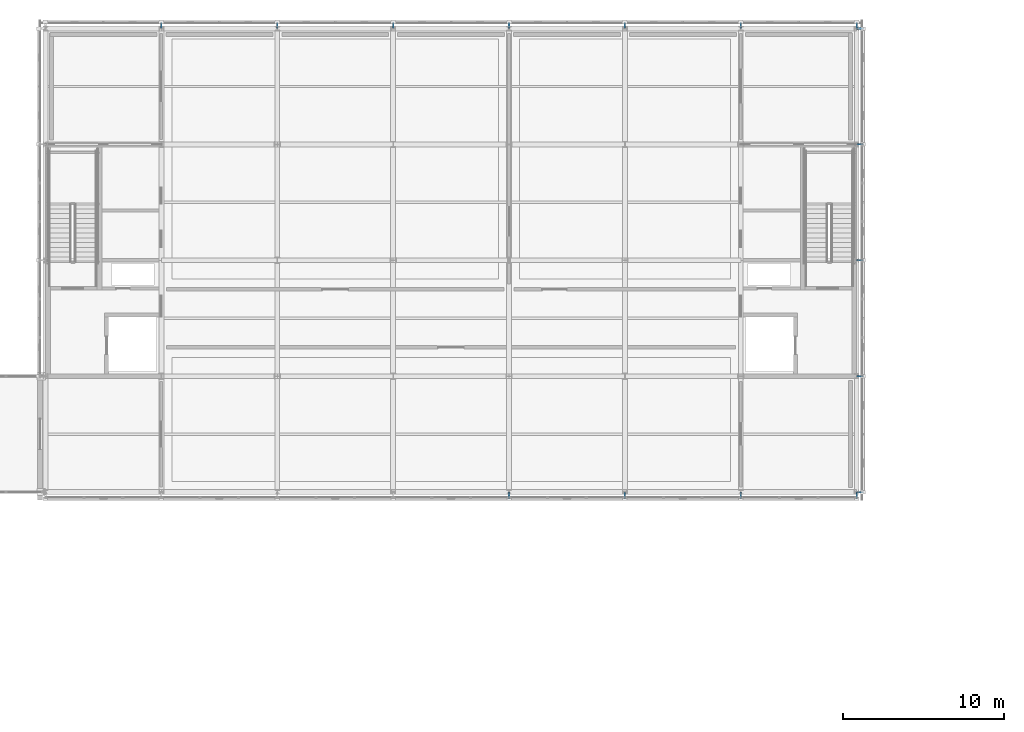
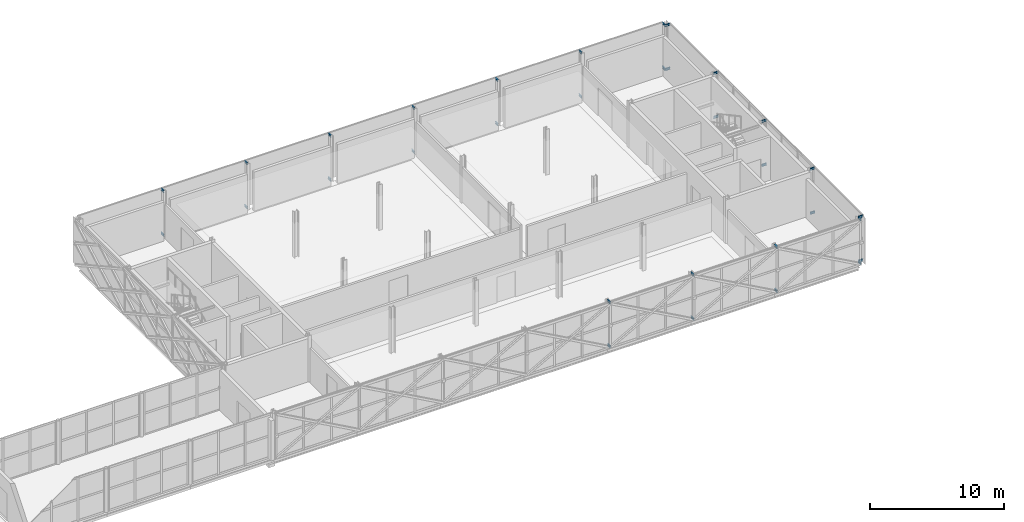
# One storey, part 64 of 103: 32 beams.
"""IFC4 building model written with IfcOpenShell, lengths in metres."""

from ifc_helpers import new_model, si_unit, direction, frame, origin, origin_2d, place, context, subcontext, project, spatial, i_section, extrude, material, material_profile, profile_set, type_object, element, save


model = new_model("IFC4")

# Units and contexts
model_context = context("Model", 3, precision=1e-05, world=origin(), true_north=direction((0.0, 1.0)))
body_context = subcontext(model_context, "Body", "Model", "MODEL_VIEW")
ifc_project = project(units=[si_unit("LENGTHUNIT", "METRE"), si_unit("AREAUNIT", "SQUARE_METRE"), si_unit("VOLUMEUNIT", "CUBIC_METRE"), si_unit("PLANEANGLEUNIT", "RADIAN"), si_unit("MASSUNIT", "GRAM", prefix="KILO")], contexts=[model_context])

# Site, building, storey
site_placement = place(None, origin())
site = spatial("IfcSite", under=ifc_project, at=site_placement, CompositionType="ELEMENT")
building_placement = place(site_placement, origin())
building = spatial("IfcBuilding", under=site, at=building_placement, Name="Zlatovets Crest Museum", CompositionType="ELEMENT")
storey_placement = place(building_placement, frame((0.0, 0.0, 12.89990234375)))
storey = spatial("IfcBuildingStorey", under=building, at=storey_placement, Name="L03", CompositionType="ELEMENT", Elevation=12.89990234375)

# Beams
ifc_material = material(Name="Structural steel S355J2", Category="steel")
ifc_material_profile = material_profile(ifc_material, i_section(OverallWidth=0.10009765625, OverallDepth=0.199951171875, WebThickness=0.005615234375, FlangeThickness=0.008544921875, FilletRadius=0.011962890625, at=origin_2d()), Name="IPE 200")
ifc_profile_set = profile_set([ifc_material_profile], Name="Structural steel S355J2")
beam_type = type_object("IfcBeamType", Name="Beam_PR-02", PredefinedType="LINTEL", material=ifc_profile_set)
for number, where, z_axis, x_axis, name in (
    (1, (86.39990234375, 86.39990234375, 0.10009765625), (0.0, -1.0, 0.0), (1.0, 0.0, 0.0), "Lattice Structural Outrigger Tie"),
    (2, (86.39990234375, 86.39990234375, 4.10009765625), (0.0, -1.0, 0.0), (1.0, 0.0, 0.0), "Lattice Structural Outrigger Tie"),
    (3, (93.60009765625, 86.39990234375, 0.10009765625), (0.0, -1.0, 0.0), (1.0, 0.0, 0.0), "Lattice Structural Outrigger Tie"),
    (4, (93.60009765625, 86.39990234375, 4.10009765625), (0.0, -1.0, 0.0), (1.0, 0.0, 0.0), "Lattice Structural Outrigger Tie"),
    (5, (100.800048828125, 86.39990234375, 0.10009765625), (0.0, -1.0, 0.0), (1.0, 0.0, 0.0), "Lattice Structural Outrigger Tie"),
    (6, (100.800048828125, 86.39990234375, 4.10009765625), (0.0, -1.0, 0.0), (1.0, 0.0, 0.0), "Lattice Structural Outrigger Tie"),
    (7, (108.0, 86.39990234375, 0.10009765625), (0.0, -1.0, 0.0), (1.0, 0.0, 0.0), "Lattice Structural Outrigger Tie"),
    (8, (108.0, 86.39990234375, 4.10009765625), (0.0, -1.0, 0.0), (1.0, 0.0, 0.0), "Lattice Structural Outrigger Tie"),
    (9, (108.0, 86.39990234375, 0.10009765625), (1.0, 0.0, 0.0), (0.0, 1.0, 0.0), "Lattice Structural Outrigger Tie"),
    (10, (108.0, 86.39990234375, 4.10009765625), (1.0, 0.0, 0.0), (0.0, 1.0, 0.0), "Lattice Structural Outrigger Tie"),
    (11, (108.0, 93.60009765625, 0.10009765625), (1.0, 0.0, 0.0), (0.0, 1.0, 0.0), "Lattice Structural Outrigger Tie"),
    (12, (108.0, 93.60009765625, 4.10009765625), (1.0, 0.0, 0.0), (0.0, 1.0, 0.0), "Lattice Structural Outrigger Tie"),
    (13, (108.0, 100.800048828125, 0.10009765625), (1.0, 0.0, 0.0), (0.0, 1.0, 0.0), "Lattice Structural Outrigger Tie"),
    (14, (108.0, 100.800048828125, 4.10009765625), (1.0, 0.0, 0.0), (0.0, 1.0, 0.0), "Lattice Structural Outrigger Tie"),
    (15, (108.0, 108.0, 0.10009765625), (1.0, 0.0, 0.0), (0.0, 1.0, 0.0), "Lattice Structural Outrigger Tie"),
    (16, (108.0, 108.0, 4.10009765625), (1.0, 0.0, 0.0), (0.0, 1.0, 0.0), "Lattice Structural Outrigger Tie"),
    (17, (108.0, 115.199951171875, 0.10009765625), (1.0, 0.0, 0.0), (0.0, 1.0, 0.0), "Lattice Structural Outrigger Tie"),
    (18, (108.0, 115.199951171875, 4.10009765625), (1.0, 0.0, 0.0), (0.0, 1.0, 0.0), "Lattice Structural Outrigger Tie"),
):
    element("IfcBeam", number, at=place(storey_placement, frame(where, z_axis=z_axis, x_axis=x_axis)), inside=storey, type_object=beam_type, Name=name, PredefinedType="LINTEL", context=body_context, shape_type="SweptSolid", body=[
        extrude(i_section(OverallWidth=0.10009765625, OverallDepth=0.199951171875, WebThickness=0.005615234375, FlangeThickness=0.008544921875, FilletRadius=0.011962890625, at=origin_2d()), origin(), (0.0, 0.0, 1.0), 0.419921875),
    ])
for number, where, z_axis, x_axis, name in (
    (19, (108.0, 115.199951171875, 0.10009765625), (0.0, 1.0, 0.0), (-1.0, 0.0, 0.0), "Lattice Structural Outrigger Tie"),
    (20, (108.0, 115.199951171875, 4.10009765625), (0.0, 1.0, 0.0), (-1.0, 0.0, 0.0), "Lattice Structural Outrigger Tie"),
    (21, (100.800048828125, 115.199951171875, 0.10009765625), (0.0, 1.0, 0.0), (-1.0, 0.0, 0.0), "Lattice Structural Outrigger Tie"),
    (22, (100.800048828125, 115.199951171875, 4.10009765625), (0.0, 1.0, 0.0), (-1.0, 0.0, 0.0), "Lattice Structural Outrigger Tie"),
    (23, (93.60009765625, 115.199951171875, 0.10009765625), (0.0, 1.0, 0.0), (-1.0, 0.0, 0.0), "Lattice Structural Outrigger Tie"),
    (24, (93.60009765625, 115.199951171875, 4.10009765625), (0.0, 1.0, 0.0), (-1.0, 0.0, 0.0), "Lattice Structural Outrigger Tie"),
    (25, (86.39990234375, 115.199951171875, 0.10009765625), (0.0, 1.0, 0.0), (-1.0, 0.0, 0.0), "Lattice Structural Outrigger Tie"),
    (26, (86.39990234375, 115.199951171875, 4.10009765625), (0.0, 1.0, 0.0), (-1.0, 0.0, 0.0), "Lattice Structural Outrigger Tie"),
    (27, (79.199951171875, 115.199951171875, 0.10009765625), (0.0, 1.0, 0.0), (-1.0, 0.0, 0.0), "Lattice Structural Outrigger Tie"),
    (28, (79.199951171875, 115.199951171875, 4.10009765625), (0.0, 1.0, 0.0), (-1.0, 0.0, 0.0), "Lattice Structural Outrigger Tie"),
    (29, (72.0, 115.199951171875, 0.10009765625), (0.0, 1.0, 0.0), (-1.0, 0.0, 0.0), "Lattice Structural Outrigger Tie"),
    (30, (72.0, 115.199951171875, 4.10009765625), (0.0, 1.0, 0.0), (-1.0, 0.0, 0.0), "Lattice Structural Outrigger Tie"),
    (31, (64.800048828125, 115.199951171875, 0.10009765625), (0.0, 1.0, 0.0), (-1.0, 0.0, 0.0), "Lattice Structural Outrigger Tie"),
    (32, (64.800048828125, 115.199951171875, 4.10009765625), (0.0, 1.0, 0.0), (-1.0, 0.0, 0.0), "Lattice Structural Outrigger Tie"),
):
    element("IfcBeam", number, at=place(storey_placement, frame(where, z_axis=z_axis, x_axis=x_axis)), inside=storey, type_object=beam_type, Name=name, PredefinedType="LINTEL", context=body_context, shape_type="SweptSolid", body=[
        extrude(i_section(OverallWidth=0.10009765625, OverallDepth=0.199951171875, WebThickness=0.005615234375, FlangeThickness=0.008544921875, FilletRadius=0.011962890625, at=origin_2d()), origin(), (0.0, 0.0, 1.0), 0.420166015625),
    ])

save(model, "model.ifc")
